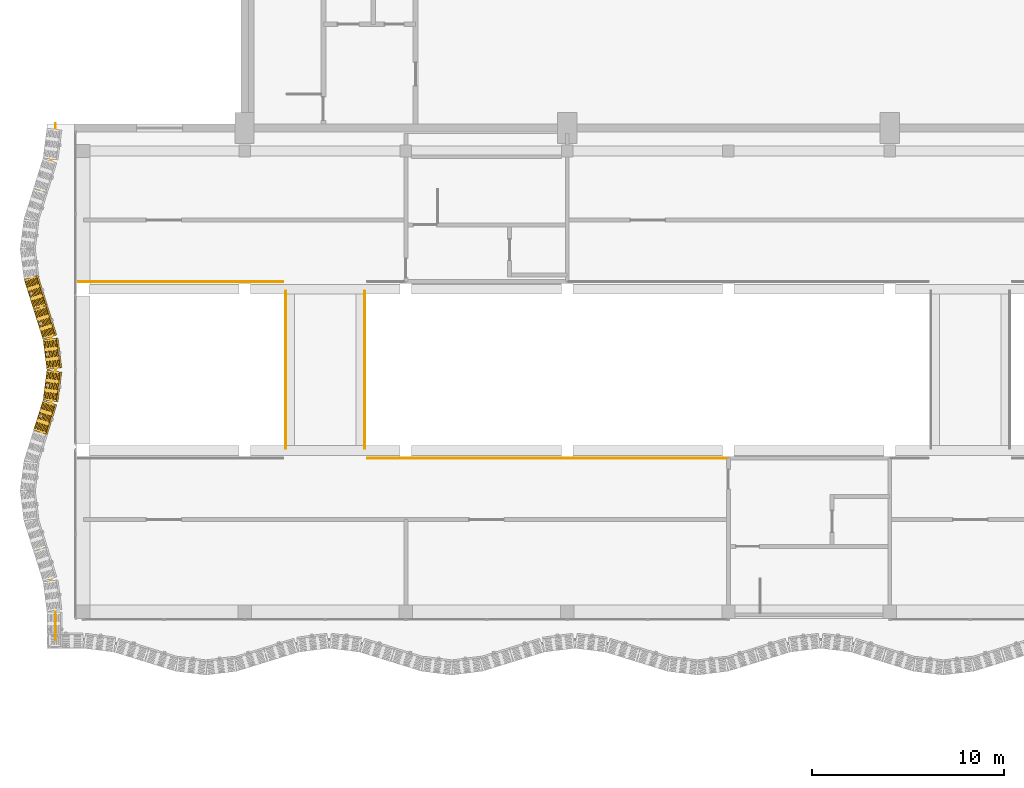
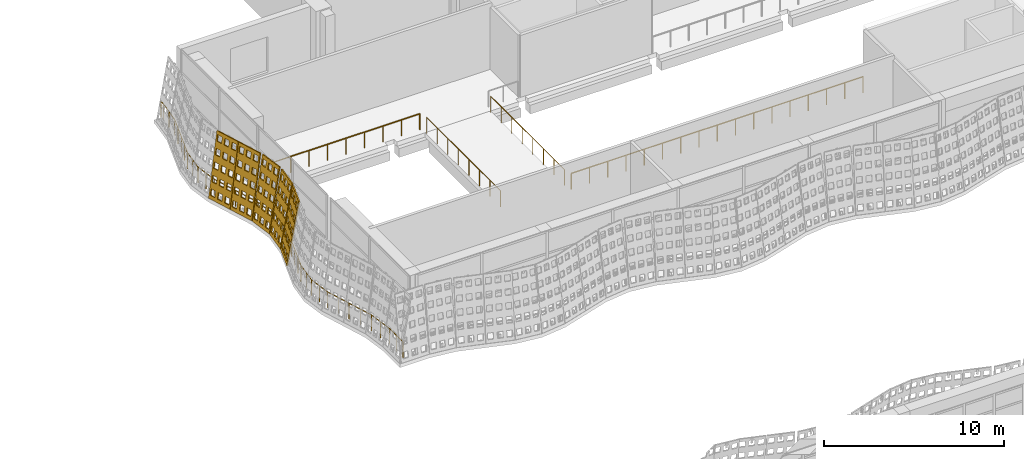
# One storey, part 132 of 162: 5 coverings, 5 railings.
"""IFC4 building model written with IfcOpenShell, lengths in metres."""

from ifc_helpers import new_model, si_unit, direction, frame, origin, origin_2d, place, context, subcontext, project, spatial, polyline, circle, outline, extrude, material, layer, layer_set, type_object, element, save


model = new_model("IFC4")

# Units and contexts
model_context = context("Model", 3, precision=1e-05, world=origin(), true_north=direction((0.0, 1.0)))
body_context = subcontext(model_context, "Body", "Model", "MODEL_VIEW")
ifc_project = project(units=[si_unit("LENGTHUNIT", "METRE"), si_unit("AREAUNIT", "SQUARE_METRE"), si_unit("VOLUMEUNIT", "CUBIC_METRE"), si_unit("PLANEANGLEUNIT", "RADIAN"), si_unit("MASSUNIT", "GRAM", prefix="KILO")], contexts=[model_context])

# Site, building, storey
site_placement = place(None, origin())
site = spatial("IfcSite", under=ifc_project, at=site_placement, CompositionType="ELEMENT")
building_placement = place(site_placement, origin())
building = spatial("IfcBuilding", under=site, at=building_placement, Name="Rain Tree Exposition and Congress Centre", CompositionType="ELEMENT")
storey_placement = place(building_placement, frame((0.0, 0.0, 6.0)))
storey = spatial("IfcBuildingStorey", under=building, at=storey_placement, Name="L01", CompositionType="ELEMENT", Elevation=6.0)

# Railings
ifc_material_1 = material(Name="Aluminium and glass balustrade", Category="aluminium")
railing_type_1 = type_object("IfcRailingType", Name="Concourse guard 1100", PredefinedType="GUARDRAIL", material=ifc_material_1)
railing_1_placement = place(storey_placement, frame((14.800048828125, 83.60009765625, 0.0)))
element("IfcRailing", 1, at=railing_1_placement, inside=storey, type_object=railing_type_1, Name="Concourse promenade guard 2", PredefinedType="GUARDRAIL", context=body_context, shape_type="SweptSolid", body=[
    extrude(circle(Radius=0.02392578125, at=origin_2d()), frame((0.0, 0.0, 1.076171875), z_axis=(1.0, 0.0, 0.0), x_axis=(0.0, 1.0, 0.0)), (0.0, 0.0, 1.0), 18.699951171875),
    extrude(circle(Radius=0.02099609375, at=origin_2d()), origin(), (0.0, 0.0, 1.0), 1.052001953125),
    extrude(circle(Radius=0.02099609375, at=origin_2d()), frame((1.168701171875, 0.0, 0.0)), (0.0, 0.0, 1.0), 1.052001953125),
    extrude(circle(Radius=0.02099609375, at=origin_2d()), frame((2.33740234375, 0.0, 0.0)), (0.0, 0.0, 1.0), 1.052001953125),
    extrude(circle(Radius=0.02099609375, at=origin_2d()), frame((3.50634765625, 0.0, 0.0)), (0.0, 0.0, 1.0), 1.052001953125),
    extrude(circle(Radius=0.02099609375, at=origin_2d()), frame((4.675048828125, 0.0, 0.0)), (0.0, 0.0, 1.0), 1.052001953125),
    extrude(circle(Radius=0.02099609375, at=origin_2d()), frame((5.84375, 0.0, 0.0)), (0.0, 0.0, 1.0), 1.052001953125),
    extrude(circle(Radius=0.02099609375, at=origin_2d()), frame((7.012451171875, 0.0, 0.0)), (0.0, 0.0, 1.0), 1.052001953125),
    extrude(circle(Radius=0.02099609375, at=origin_2d()), frame((8.18115234375, 0.0, 0.0)), (0.0, 0.0, 1.0), 1.052001953125),
    extrude(circle(Radius=0.02099609375, at=origin_2d()), frame((9.35009765625, 0.0, 0.0)), (0.0, 0.0, 1.0), 1.052001953125),
    extrude(circle(Radius=0.02099609375, at=origin_2d()), frame((10.518798828125, 0.0, 0.0)), (0.0, 0.0, 1.0), 1.052001953125),
    extrude(circle(Radius=0.02099609375, at=origin_2d()), frame((11.6875, 0.0, 0.0)), (0.0, 0.0, 1.0), 1.052001953125),
    extrude(circle(Radius=0.02099609375, at=origin_2d()), frame((12.856201171875, 0.0, 0.0)), (0.0, 0.0, 1.0), 1.052001953125),
    extrude(circle(Radius=0.02099609375, at=origin_2d()), frame((14.02490234375, 0.0, 0.0)), (0.0, 0.0, 1.0), 1.052001953125),
    extrude(circle(Radius=0.02099609375, at=origin_2d()), frame((15.193603515625, 0.0, 0.0)), (0.0, 0.0, 1.0), 1.052001953125),
    extrude(circle(Radius=0.02099609375, at=origin_2d()), frame((16.362548828125, 0.0, 0.0)), (0.0, 0.0, 1.0), 1.052001953125),
    extrude(circle(Radius=0.02099609375, at=origin_2d()), frame((17.53125, 0.0, 0.0)), (0.0, 0.0, 1.0), 1.052001953125),
    extrude(circle(Radius=0.02099609375, at=origin_2d()), frame((18.699951171875, 0.0, 0.0)), (0.0, 0.0, 1.0), 1.052001953125),
])
railing_2_placement = place(storey_placement, frame((-0.25, 92.800048828125, 0.0)))
element("IfcRailing", 2, at=railing_2_placement, inside=storey, type_object=railing_type_1, Name="Concourse promenade guard 14", PredefinedType="GUARDRAIL", context=body_context, shape_type="SweptSolid", body=[
    extrude(circle(Radius=0.02392578125, at=origin_2d()), frame((0.0, 0.0, 1.076171875), z_axis=(1.0, 0.0, 0.0), x_axis=(0.0, 1.0, 0.0)), (0.0, 0.0, 1.0), 10.64990234375),
    extrude(circle(Radius=0.02099609375, at=origin_2d()), origin(), (0.0, 0.0, 1.0), 1.052001953125),
    extrude(circle(Radius=0.02099609375, at=origin_2d()), frame((1.183349609375, 0.0, 0.0)), (0.0, 0.0, 1.0), 1.052001953125),
    extrude(circle(Radius=0.02099609375, at=origin_2d()), frame((2.36669921875, 0.0, 0.0)), (0.0, 0.0, 1.0), 1.052001953125),
    extrude(circle(Radius=0.02099609375, at=origin_2d()), frame((3.550048828125, 0.0, 0.0)), (0.0, 0.0, 1.0), 1.052001953125),
    extrude(circle(Radius=0.02099609375, at=origin_2d()), frame((4.7333984375, 0.0, 0.0)), (0.0, 0.0, 1.0), 1.052001953125),
    extrude(circle(Radius=0.02099609375, at=origin_2d()), frame((5.91650390625, 0.0, 0.0)), (0.0, 0.0, 1.0), 1.052001953125),
    extrude(circle(Radius=0.02099609375, at=origin_2d()), frame((7.099853515625, 0.0, 0.0)), (0.0, 0.0, 1.0), 1.052001953125),
    extrude(circle(Radius=0.02099609375, at=origin_2d()), frame((8.283203125, 0.0, 0.0)), (0.0, 0.0, 1.0), 1.052001953125),
    extrude(circle(Radius=0.02099609375, at=origin_2d()), frame((9.466552734375, 0.0, 0.0)), (0.0, 0.0, 1.0), 1.052001953125),
    extrude(circle(Radius=0.02099609375, at=origin_2d()), frame((10.64990234375, 0.0, 0.0)), (0.0, 0.0, 1.0), 1.052001953125),
])
for number, where, name in (
    (3, (10.550048828125, 84.10009765625, 0.0), "Concourse bridge guard 1.1"),
    (4, (14.64990234375, 84.10009765625, 0.0), "Concourse bridge guard 1.2"),
):
    element("IfcRailing", number, at=place(storey_placement, frame(where)), inside=storey, type_object=railing_type_1, Name=name, PredefinedType="GUARDRAIL", context=body_context, shape_type="SweptSolid", body=[
        extrude(circle(Radius=0.02392578125, at=origin_2d()), frame((0.0, 0.0, 1.076171875), z_axis=(0.0, 1.0, 0.0), x_axis=(-1.0, 0.0, 0.0)), (0.0, 0.0, 1.0), 8.199951171875),
        extrude(circle(Radius=0.02099609375, at=origin_2d()), origin(), (0.0, 0.0, 1.0), 1.052001953125),
        extrude(circle(Radius=0.02099609375, at=origin_2d()), frame((0.0, 1.17138671875, 0.0)), (0.0, 0.0, 1.0), 1.052001953125),
        extrude(circle(Radius=0.02099609375, at=origin_2d()), frame((0.0, 2.3427734375, 0.0)), (0.0, 0.0, 1.0), 1.052001953125),
        extrude(circle(Radius=0.02099609375, at=origin_2d()), frame((0.0, 3.51416015625, 0.0)), (0.0, 0.0, 1.0), 1.052001953125),
        extrude(circle(Radius=0.02099609375, at=origin_2d()), frame((0.0, 4.685791015625, 0.0)), (0.0, 0.0, 1.0), 1.052001953125),
        extrude(circle(Radius=0.02099609375, at=origin_2d()), frame((0.0, 5.857177734375, 0.0)), (0.0, 0.0, 1.0), 1.052001953125),
        extrude(circle(Radius=0.02099609375, at=origin_2d()), frame((0.0, 7.028564453125, 0.0)), (0.0, 0.0, 1.0), 1.052001953125),
        extrude(circle(Radius=0.02099609375, at=origin_2d()), frame((0.0, 8.199951171875, 0.0)), (0.0, 0.0, 1.0), 1.052001953125),
    ])

# Coverings
ifc_material_2 = material(Name="Perforated terracotta", Category="masonry")
ifc_layer = layer(ifc_material_2, 0.080078125)
ifc_layer_set = layer_set([ifc_layer], Name="Perforated terracotta")
covering_type = type_object("IfcCoveringType", Name="Terracotta screen 80", PredefinedType="CLADDING", material=ifc_layer_set)
covering_1_placement = place(storey_placement, frame((-3.093505859375, 92.925537109375, 0.0126953125), z_axis=(0.942029390639, 0.295717964052, -0.158529217842), x_axis=(-0.29950542383, 0.954094597562, 0.0)))
element("IfcCovering", 5, at=covering_1_placement, inside=storey, type_object=covering_type, Name="concourse/screen/L01/197", PredefinedType="CLADDING", context=body_context, shape_type="SweptSolid", body=[
    extrude(outline(polyline([(-1.635986328125, 0.0), (-1.635986328125, 4.291259765625), (-0.02197265625, 4.291259765625), (-0.02197265625, 0.0), (-1.635986328125, 0.0)]), holes=[polyline([(-0.124267578125, 0.221435546875), (-0.124267578125, 0.63671875), (-0.457763671875, 0.63671875), (-0.457763671875, 0.221435546875), (-0.124267578125, 0.221435546875)]), polyline([(-0.124267578125, 1.07958984375), (-0.124267578125, 1.4951171875), (-0.457763671875, 1.4951171875), (-0.457763671875, 1.07958984375), (-0.124267578125, 1.07958984375)]), polyline([(-0.124267578125, 1.93798828125), (-0.124267578125, 2.353271484375), (-0.457763671875, 2.353271484375), (-0.457763671875, 1.93798828125), (-0.124267578125, 1.93798828125)]), polyline([(-0.124267578125, 2.796142578125), (-0.124267578125, 3.21142578125), (-0.457763671875, 3.21142578125), (-0.457763671875, 2.796142578125), (-0.124267578125, 2.796142578125)]), polyline([(-0.124267578125, 3.654541015625), (-0.124267578125, 4.06982421875), (-0.457763671875, 4.06982421875), (-0.457763671875, 3.654541015625), (-0.124267578125, 3.654541015625)]), polyline([(-0.662109375, 0.221435546875), (-0.662109375, 0.63671875), (-0.995849609375, 0.63671875), (-0.995849609375, 0.221435546875), (-0.662109375, 0.221435546875)]), polyline([(-0.662109375, 1.07958984375), (-0.662109375, 1.4951171875), (-0.995849609375, 1.4951171875), (-0.995849609375, 1.07958984375), (-0.662109375, 1.07958984375)]), polyline([(-0.662109375, 1.93798828125), (-0.662109375, 2.353271484375), (-0.995849609375, 2.353271484375), (-0.995849609375, 1.93798828125), (-0.662109375, 1.93798828125)]), polyline([(-0.662109375, 2.796142578125), (-0.662109375, 3.21142578125), (-0.995849609375, 3.21142578125), (-0.995849609375, 2.796142578125), (-0.662109375, 2.796142578125)]), polyline([(-0.662109375, 3.654541015625), (-0.662109375, 4.06982421875), (-0.995849609375, 4.06982421875), (-0.995849609375, 3.654541015625), (-0.662109375, 3.654541015625)]), polyline([(-1.2001953125, 0.221435546875), (-1.2001953125, 0.63671875), (-1.53369140625, 0.63671875), (-1.53369140625, 0.221435546875), (-1.2001953125, 0.221435546875)]), polyline([(-1.2001953125, 1.07958984375), (-1.2001953125, 1.4951171875), (-1.53369140625, 1.4951171875), (-1.53369140625, 1.07958984375), (-1.2001953125, 1.07958984375)]), polyline([(-1.2001953125, 1.93798828125), (-1.2001953125, 2.353271484375), (-1.53369140625, 2.353271484375), (-1.53369140625, 1.93798828125), (-1.2001953125, 1.93798828125)]), polyline([(-1.2001953125, 2.796142578125), (-1.2001953125, 3.21142578125), (-1.53369140625, 3.21142578125), (-1.53369140625, 2.796142578125), (-1.2001953125, 2.796142578125)]), polyline([(-1.2001953125, 3.654541015625), (-1.2001953125, 4.06982421875), (-1.53369140625, 4.06982421875), (-1.53369140625, 3.654541015625), (-1.2001953125, 3.654541015625)])]), origin(), (0.0, 0.0, 1.0), 0.080078125),
])
covering_2_placement = place(storey_placement, frame((-2.598388671875, 91.3505859375, 0.0126953125), z_axis=(0.942029390639, 0.295717964052, -0.158529217842), x_axis=(-0.29950542383, 0.954094597562, 0.0)))
element("IfcCovering", 6, at=covering_2_placement, inside=storey, type_object=covering_type, Name="concourse/screen/L01/198", PredefinedType="CLADDING", context=body_context, shape_type="SweptSolid", body=[
    extrude(outline(polyline([(-1.635986328125, 0.0), (-1.635986328125, 4.291259765625), (-0.014892578125, 4.291259765625), (-0.014892578125, 0.0), (-1.635986328125, 0.0)]), holes=[polyline([(-0.11767578125, 0.221435546875), (-0.11767578125, 0.63671875), (-0.45263671875, 0.63671875), (-0.45263671875, 0.221435546875), (-0.11767578125, 0.221435546875)]), polyline([(-0.11767578125, 1.07958984375), (-0.11767578125, 1.4951171875), (-0.45263671875, 1.4951171875), (-0.45263671875, 1.07958984375), (-0.11767578125, 1.07958984375)]), polyline([(-0.11767578125, 1.93798828125), (-0.11767578125, 2.353271484375), (-0.45263671875, 2.353271484375), (-0.45263671875, 1.93798828125), (-0.11767578125, 1.93798828125)]), polyline([(-0.11767578125, 2.796142578125), (-0.11767578125, 3.21142578125), (-0.45263671875, 3.21142578125), (-0.45263671875, 2.796142578125), (-0.11767578125, 2.796142578125)]), polyline([(-0.11767578125, 3.654541015625), (-0.11767578125, 4.06982421875), (-0.45263671875, 4.06982421875), (-0.45263671875, 3.654541015625), (-0.11767578125, 3.654541015625)]), polyline([(-0.657958984375, 0.221435546875), (-0.657958984375, 0.63671875), (-0.992919921875, 0.63671875), (-0.992919921875, 0.221435546875), (-0.657958984375, 0.221435546875)]), polyline([(-0.657958984375, 1.07958984375), (-0.657958984375, 1.4951171875), (-0.992919921875, 1.4951171875), (-0.992919921875, 1.07958984375), (-0.657958984375, 1.07958984375)]), polyline([(-0.657958984375, 1.93798828125), (-0.657958984375, 2.353271484375), (-0.992919921875, 2.353271484375), (-0.992919921875, 1.93798828125), (-0.657958984375, 1.93798828125)]), polyline([(-0.657958984375, 2.796142578125), (-0.657958984375, 3.21142578125), (-0.992919921875, 3.21142578125), (-0.992919921875, 2.796142578125), (-0.657958984375, 2.796142578125)]), polyline([(-0.657958984375, 3.654541015625), (-0.657958984375, 4.06982421875), (-0.992919921875, 4.06982421875), (-0.992919921875, 3.654541015625), (-0.657958984375, 3.654541015625)]), polyline([(-1.1982421875, 0.221435546875), (-1.1982421875, 0.63671875), (-1.533203125, 0.63671875), (-1.533203125, 0.221435546875), (-1.1982421875, 0.221435546875)]), polyline([(-1.1982421875, 1.07958984375), (-1.1982421875, 1.4951171875), (-1.533203125, 1.4951171875), (-1.533203125, 1.07958984375), (-1.1982421875, 1.07958984375)]), polyline([(-1.1982421875, 1.93798828125), (-1.1982421875, 2.353271484375), (-1.533203125, 2.353271484375), (-1.533203125, 1.93798828125), (-1.1982421875, 1.93798828125)]), polyline([(-1.1982421875, 2.796142578125), (-1.1982421875, 3.21142578125), (-1.533203125, 3.21142578125), (-1.533203125, 2.796142578125), (-1.1982421875, 2.796142578125)]), polyline([(-1.1982421875, 3.654541015625), (-1.1982421875, 4.06982421875), (-1.533203125, 4.06982421875), (-1.533203125, 3.654541015625), (-1.1982421875, 3.654541015625)])]), origin(), (0.0, 0.0, 1.0), 0.080078125),
])
covering_3_placement = place(storey_placement, frame((-2.10302734375, 89.775390625, 0.01318359375), z_axis=(0.978282259159, 0.125342414455, -0.165085131233), x_axis=(-0.127086122318, 0.991891686382, 0.0)))
element("IfcCovering", 7, at=covering_3_placement, inside=storey, type_object=covering_type, Name="concourse/screen/L01/199", PredefinedType="CLADDING", context=body_context, shape_type="SweptSolid", body=[
    extrude(outline(polyline([(-1.5732421875, 0.0), (-1.5732421875, 4.295166015625), (-0.014892578125, 4.295166015625), (-0.014892578125, 0.0), (-1.5732421875, 0.0)]), holes=[polyline([(-0.11376953125, 0.2216796875), (-0.11376953125, 0.63720703125), (-0.435791015625, 0.63720703125), (-0.435791015625, 0.2216796875), (-0.11376953125, 0.2216796875)]), polyline([(-0.11376953125, 1.080810546875), (-0.11376953125, 1.496337890625), (-0.435791015625, 1.496337890625), (-0.435791015625, 1.080810546875), (-0.11376953125, 1.080810546875)]), polyline([(-0.11376953125, 1.939697265625), (-0.11376953125, 2.35546875), (-0.435791015625, 2.35546875), (-0.435791015625, 1.939697265625), (-0.11376953125, 1.939697265625)]), polyline([(-0.11376953125, 2.798583984375), (-0.11376953125, 3.21435546875), (-0.435791015625, 3.21435546875), (-0.435791015625, 2.798583984375), (-0.11376953125, 2.798583984375)]), polyline([(-0.11376953125, 3.65771484375), (-0.11376953125, 4.073486328125), (-0.435791015625, 4.073486328125), (-0.435791015625, 3.65771484375), (-0.11376953125, 3.65771484375)]), polyline([(-0.633056640625, 0.2216796875), (-0.633056640625, 0.63720703125), (-0.955078125, 0.63720703125), (-0.955078125, 0.2216796875), (-0.633056640625, 0.2216796875)]), polyline([(-0.633056640625, 1.080810546875), (-0.633056640625, 1.496337890625), (-0.955078125, 1.496337890625), (-0.955078125, 1.080810546875), (-0.633056640625, 1.080810546875)]), polyline([(-0.633056640625, 1.939697265625), (-0.633056640625, 2.35546875), (-0.955078125, 2.35546875), (-0.955078125, 1.939697265625), (-0.633056640625, 1.939697265625)]), polyline([(-0.633056640625, 2.798583984375), (-0.633056640625, 3.21435546875), (-0.955078125, 3.21435546875), (-0.955078125, 2.798583984375), (-0.633056640625, 2.798583984375)]), polyline([(-0.633056640625, 3.65771484375), (-0.633056640625, 4.073486328125), (-0.955078125, 4.073486328125), (-0.955078125, 3.65771484375), (-0.633056640625, 3.65771484375)]), polyline([(-1.152587890625, 0.2216796875), (-1.152587890625, 0.63720703125), (-1.474609375, 0.63720703125), (-1.474609375, 0.2216796875), (-1.152587890625, 0.2216796875)]), polyline([(-1.152587890625, 1.080810546875), (-1.152587890625, 1.496337890625), (-1.474609375, 1.496337890625), (-1.474609375, 1.080810546875), (-1.152587890625, 1.080810546875)]), polyline([(-1.152587890625, 1.939697265625), (-1.152587890625, 2.35546875), (-1.474609375, 2.35546875), (-1.474609375, 1.939697265625), (-1.152587890625, 1.939697265625)]), polyline([(-1.152587890625, 2.798583984375), (-1.152587890625, 3.21435546875), (-1.474609375, 3.21435546875), (-1.474609375, 2.798583984375), (-1.152587890625, 2.798583984375)]), polyline([(-1.152587890625, 3.65771484375), (-1.152587890625, 4.073486328125), (-1.474609375, 4.073486328125), (-1.474609375, 3.65771484375), (-1.152587890625, 3.65771484375)])]), origin(), (0.0, 0.0, 1.0), 0.079833984375),
])
covering_4_placement = place(storey_placement, frame((-1.898193359375, 88.19970703125, 0.01318359375), z_axis=(0.978036007662, -0.127967328105, -0.16452942185), x_axis=(0.129735338481, 0.991548658387, 0.0)))
element("IfcCovering", 8, at=covering_4_placement, inside=storey, type_object=covering_type, Name="concourse/screen/L01/200", PredefinedType="CLADDING", context=body_context, shape_type="SweptSolid", body=[
    extrude(outline(polyline([(-1.5732421875, 0.0), (-1.5732421875, 4.295166015625), (-0.014892578125, 4.295166015625), (-0.014892578125, 0.0), (-1.5732421875, 0.0)]), holes=[polyline([(-0.11376953125, 0.2216796875), (-0.11376953125, 0.63720703125), (-0.435791015625, 0.63720703125), (-0.435791015625, 0.2216796875), (-0.11376953125, 0.2216796875)]), polyline([(-0.11376953125, 1.080810546875), (-0.11376953125, 1.496337890625), (-0.435791015625, 1.496337890625), (-0.435791015625, 1.080810546875), (-0.11376953125, 1.080810546875)]), polyline([(-0.11376953125, 1.939697265625), (-0.11376953125, 2.35546875), (-0.435791015625, 2.35546875), (-0.435791015625, 1.939697265625), (-0.11376953125, 1.939697265625)]), polyline([(-0.11376953125, 2.798583984375), (-0.11376953125, 3.21435546875), (-0.435791015625, 3.21435546875), (-0.435791015625, 2.798583984375), (-0.11376953125, 2.798583984375)]), polyline([(-0.11376953125, 3.65771484375), (-0.11376953125, 4.073486328125), (-0.435791015625, 4.073486328125), (-0.435791015625, 3.65771484375), (-0.11376953125, 3.65771484375)]), polyline([(-0.633056640625, 0.2216796875), (-0.633056640625, 0.63720703125), (-0.955078125, 0.63720703125), (-0.955078125, 0.2216796875), (-0.633056640625, 0.2216796875)]), polyline([(-0.633056640625, 1.080810546875), (-0.633056640625, 1.496337890625), (-0.955078125, 1.496337890625), (-0.955078125, 1.080810546875), (-0.633056640625, 1.080810546875)]), polyline([(-0.633056640625, 1.939697265625), (-0.633056640625, 2.35546875), (-0.955078125, 2.35546875), (-0.955078125, 1.939697265625), (-0.633056640625, 1.939697265625)]), polyline([(-0.633056640625, 2.798583984375), (-0.633056640625, 3.21435546875), (-0.955078125, 3.21435546875), (-0.955078125, 2.798583984375), (-0.633056640625, 2.798583984375)]), polyline([(-0.633056640625, 3.65771484375), (-0.633056640625, 4.073486328125), (-0.955078125, 4.073486328125), (-0.955078125, 3.65771484375), (-0.633056640625, 3.65771484375)]), polyline([(-1.152587890625, 0.2216796875), (-1.152587890625, 0.63720703125), (-1.474609375, 0.63720703125), (-1.474609375, 0.2216796875), (-1.152587890625, 0.2216796875)]), polyline([(-1.152587890625, 1.080810546875), (-1.152587890625, 1.496337890625), (-1.474609375, 1.496337890625), (-1.474609375, 1.080810546875), (-1.152587890625, 1.080810546875)]), polyline([(-1.152587890625, 1.939697265625), (-1.152587890625, 2.35546875), (-1.474609375, 2.35546875), (-1.474609375, 1.939697265625), (-1.152587890625, 1.939697265625)]), polyline([(-1.152587890625, 2.798583984375), (-1.152587890625, 3.21435546875), (-1.474609375, 3.21435546875), (-1.474609375, 2.798583984375), (-1.152587890625, 2.798583984375)]), polyline([(-1.152587890625, 3.65771484375), (-1.152587890625, 4.073486328125), (-1.474609375, 4.073486328125), (-1.474609375, 3.65771484375), (-1.152587890625, 3.65771484375)])]), origin(), (0.0, 0.0, 1.0), 0.080078125),
])
covering_5_placement = place(storey_placement, frame((-2.103515625, 86.62451171875, 0.0126953125), z_axis=(0.941176896939, -0.298496232686, -0.158385756119), x_axis=(0.302312226207, 0.953208958144, 0.0)))
element("IfcCovering", 9, at=covering_5_placement, inside=storey, type_object=covering_type, Name="concourse/screen/L01/201", PredefinedType="CLADDING", context=body_context, shape_type="SweptSolid", body=[
    extrude(outline(polyline([(-1.635986328125, 0.0), (-1.635986328125, 4.291259765625), (-0.014892578125, 4.291259765625), (-0.014892578125, 0.0), (-1.635986328125, 0.0)]), holes=[polyline([(-0.11767578125, 0.221435546875), (-0.11767578125, 0.63671875), (-0.45263671875, 0.63671875), (-0.45263671875, 0.221435546875), (-0.11767578125, 0.221435546875)]), polyline([(-0.11767578125, 1.07958984375), (-0.11767578125, 1.4951171875), (-0.45263671875, 1.4951171875), (-0.45263671875, 1.07958984375), (-0.11767578125, 1.07958984375)]), polyline([(-0.11767578125, 1.93798828125), (-0.11767578125, 2.353271484375), (-0.45263671875, 2.353271484375), (-0.45263671875, 1.93798828125), (-0.11767578125, 1.93798828125)]), polyline([(-0.11767578125, 2.796142578125), (-0.11767578125, 3.21142578125), (-0.45263671875, 3.21142578125), (-0.45263671875, 2.796142578125), (-0.11767578125, 2.796142578125)]), polyline([(-0.11767578125, 3.654541015625), (-0.11767578125, 4.06982421875), (-0.45263671875, 4.06982421875), (-0.45263671875, 3.654541015625), (-0.11767578125, 3.654541015625)]), polyline([(-0.657958984375, 0.221435546875), (-0.657958984375, 0.63671875), (-0.992919921875, 0.63671875), (-0.992919921875, 0.221435546875), (-0.657958984375, 0.221435546875)]), polyline([(-0.657958984375, 1.07958984375), (-0.657958984375, 1.4951171875), (-0.992919921875, 1.4951171875), (-0.992919921875, 1.07958984375), (-0.657958984375, 1.07958984375)]), polyline([(-0.657958984375, 1.93798828125), (-0.657958984375, 2.353271484375), (-0.992919921875, 2.353271484375), (-0.992919921875, 1.93798828125), (-0.657958984375, 1.93798828125)]), polyline([(-0.657958984375, 2.796142578125), (-0.657958984375, 3.21142578125), (-0.992919921875, 3.21142578125), (-0.992919921875, 2.796142578125), (-0.657958984375, 2.796142578125)]), polyline([(-0.657958984375, 3.654541015625), (-0.657958984375, 4.06982421875), (-0.992919921875, 4.06982421875), (-0.992919921875, 3.654541015625), (-0.657958984375, 3.654541015625)]), polyline([(-1.1982421875, 0.221435546875), (-1.1982421875, 0.63671875), (-1.533203125, 0.63671875), (-1.533203125, 0.221435546875), (-1.1982421875, 0.221435546875)]), polyline([(-1.1982421875, 1.07958984375), (-1.1982421875, 1.4951171875), (-1.533203125, 1.4951171875), (-1.533203125, 1.07958984375), (-1.1982421875, 1.07958984375)]), polyline([(-1.1982421875, 1.93798828125), (-1.1982421875, 2.353271484375), (-1.533203125, 2.353271484375), (-1.533203125, 1.93798828125), (-1.1982421875, 1.93798828125)]), polyline([(-1.1982421875, 2.796142578125), (-1.1982421875, 3.21142578125), (-1.533203125, 3.21142578125), (-1.533203125, 2.796142578125), (-1.1982421875, 2.796142578125)]), polyline([(-1.1982421875, 3.654541015625), (-1.1982421875, 4.06982421875), (-1.533203125, 4.06982421875), (-1.533203125, 3.654541015625), (-1.1982421875, 3.654541015625)])]), origin(), (0.0, 0.0, 1.0), 0.080078125),
])

# Railing
ifc_material_3 = material(Name="Steel S355J2H", Category="steel")
railing_type_2 = type_object("IfcRailingType", Name="Wave ledge guard 1100", PredefinedType="GUARDRAIL", material=ifc_material_3)
railing_3_placement = place(storey_placement, frame((-1.4501953125, 74.149658203125, 0.0)))
element("IfcRailing", 10, at=railing_3_placement, inside=storey, type_object=railing_type_2, Name="concourse/guard/ring/L01/03", PredefinedType="GUARDRAIL", context=body_context, shape_type="SweptSolid", body=[
    extrude(circle(Radius=0.02392578125, at=origin_2d()), frame((0.0, 0.0, 1.076171875), z_axis=(0.0, 1.0, 0.0), x_axis=(-1.0, 0.0, 0.0)), (0.0, 0.0, 1.0), 1.4794921875),
    extrude(circle(Radius=0.02392578125, at=origin_2d()), frame((0.0, 1.4794921875, 1.076171875), z_axis=(-0.129219501459, 0.991616014616, 0.0), x_axis=(-0.991616014616, -0.129219501459, 0.0)), (0.0, 0.0, 1.0), 1.656982421875),
    extrude(circle(Radius=0.02392578125, at=origin_2d()), frame((-0.214111328125, 3.12255859375, 1.076171875), z_axis=(-0.299672622942, 0.954042095014, 0.0), x_axis=(-0.954042095014, -0.299672622942, 0.0)), (0.0, 0.0, 1.0), 1.6904296875),
    extrude(circle(Radius=0.02392578125, at=origin_2d()), frame((-0.720703125, 4.7353515625, 1.076171875), z_axis=(-0.299999944904, 0.953939218744, 0.0), x_axis=(-0.953939218744, -0.299999944904, 0.0)), (0.0, 0.0, 1.0), 1.611328125),
    extrude(circle(Radius=0.02392578125, at=origin_2d()), frame((-1.2041015625, 6.2724609375, 1.076171875), z_axis=(-0.128932951863, 0.991653313373, 0.0), x_axis=(-0.991653313373, -0.128932951863, 0.0)), (0.0, 0.0, 1.0), 1.490234375),
    extrude(circle(Radius=0.02392578125, at=origin_2d()), frame((-1.396240234375, 7.750244140625, 1.076171875), z_axis=(0.128932951863, 0.991653313373, 0.0), x_axis=(-0.991653313373, 0.128932951863, 0.0)), (0.0, 0.0, 1.0), 1.490234375),
    extrude(circle(Radius=0.02392578125, at=origin_2d()), frame((-1.2041015625, 9.22802734375, 1.076171875), z_axis=(0.299956590002, 0.953952852144, 0.0), x_axis=(-0.953952852144, 0.299956590002, 0.0)), (0.0, 0.0, 1.0), 1.611572265625),
    extrude(circle(Radius=0.02392578125, at=origin_2d()), frame((-0.720703125, 10.765380859375, 1.076171875), z_axis=(0.299672622942, 0.954042095014, 0.0), x_axis=(-0.954042095014, 0.299672622942, 0.0)), (0.0, 0.0, 1.0), 1.6904296875),
    extrude(circle(Radius=0.02392578125, at=origin_2d()), frame((-0.214111328125, 12.378173828125, 1.076171875), z_axis=(0.129147302517, 0.991625420334, 0.0), x_axis=(-0.991625420334, 0.129147302517, 0.0)), (0.0, 0.0, 1.0), 1.686279296875),
    extrude(circle(Radius=0.02392578125, at=origin_2d()), frame((0.003662109375, 14.05029296875, 1.076171875), z_axis=(-0.129128763288, 0.99162783467, 0.0), x_axis=(-0.99162783467, -0.129128763288, 0.0)), (0.0, 0.0, 1.0), 1.6865234375),
    extrude(circle(Radius=0.02392578125, at=origin_2d()), frame((-0.214111328125, 15.72265625, 1.076171875), z_axis=(-0.299713918227, 0.954029122837, 0.0), x_axis=(-0.954029122837, -0.299713918227, 0.0)), (0.0, 0.0, 1.0), 1.690185546875),
    extrude(circle(Radius=0.02392578125, at=origin_2d()), frame((-0.720703125, 17.335205078125, 1.076171875), z_axis=(-0.299956590002, 0.953952852144, 0.0), x_axis=(-0.953952852144, -0.299956590002, 0.0)), (0.0, 0.0, 1.0), 1.611572265625),
    extrude(circle(Radius=0.02392578125, at=origin_2d()), frame((-1.2041015625, 18.87255859375, 1.076171875), z_axis=(-0.128932951863, 0.991653313373, 0.0), x_axis=(-0.991653313373, -0.128932951863, 0.0)), (0.0, 0.0, 1.0), 1.490234375),
    extrude(circle(Radius=0.02392578125, at=origin_2d()), frame((-1.396240234375, 20.350341796875, 1.076171875), z_axis=(0.128932951863, 0.991653313373, 0.0), x_axis=(-0.991653313373, 0.128932951863, 0.0)), (0.0, 0.0, 1.0), 1.490234375),
    extrude(circle(Radius=0.02392578125, at=origin_2d()), frame((-1.2041015625, 21.828125, 1.076171875), z_axis=(0.299956590002, 0.953952852144, 0.0), x_axis=(-0.953952852144, 0.299956590002, 0.0)), (0.0, 0.0, 1.0), 1.611572265625),
    extrude(circle(Radius=0.02392578125, at=origin_2d()), frame((-0.720703125, 23.365478515625, 1.076171875), z_axis=(0.299713918227, 0.954029122837, 0.0), x_axis=(-0.954029122837, 0.299713918227, 0.0)), (0.0, 0.0, 1.0), 1.690185546875),
    extrude(circle(Radius=0.02392578125, at=origin_2d()), frame((-0.214111328125, 24.97802734375, 1.076171875), z_axis=(0.129219501459, 0.991616014616, 0.0), x_axis=(-0.991616014616, 0.129219501459, 0.0)), (0.0, 0.0, 1.0), 1.656982421875),
    extrude(circle(Radius=0.02392578125, at=origin_2d()), frame((0.0, 26.62109375, 1.076171875), z_axis=(0.0, 1.0, 0.0), x_axis=(-1.0, 0.0, 0.0)), (0.0, 0.0, 1.0), 0.249267578125),
    extrude(circle(Radius=0.02099609375, at=origin_2d()), origin(), (0.0, 0.0, 1.0), 1.052001953125),
    extrude(circle(Radius=0.02099609375, at=origin_2d()), frame((0.0, 0.73974609375, 0.0)), (0.0, 0.0, 1.0), 1.052001953125),
    extrude(circle(Radius=0.02099609375, at=origin_2d()), frame((0.0, 1.4794921875, 0.0)), (0.0, 0.0, 1.0), 1.052001953125),
    extrude(circle(Radius=0.02099609375, at=origin_2d()), frame((-0.10693359375, 2.301025390625, 0.0)), (0.0, 0.0, 1.0), 1.052001953125),
    extrude(circle(Radius=0.02099609375, at=origin_2d()), frame((-0.214111328125, 3.12255859375, 0.0)), (0.0, 0.0, 1.0), 1.052001953125),
    extrude(circle(Radius=0.02099609375, at=origin_2d()), frame((-0.46728515625, 3.928955078125, 0.0)), (0.0, 0.0, 1.0), 1.052001953125),
    extrude(circle(Radius=0.02099609375, at=origin_2d()), frame((-0.720703125, 4.7353515625, 0.0)), (0.0, 0.0, 1.0), 1.052001953125),
    extrude(circle(Radius=0.02099609375, at=origin_2d()), frame((-0.96240234375, 5.50390625, 0.0)), (0.0, 0.0, 1.0), 1.052001953125),
    extrude(circle(Radius=0.02099609375, at=origin_2d()), frame((-1.2041015625, 6.2724609375, 0.0)), (0.0, 0.0, 1.0), 1.052001953125),
    extrude(circle(Radius=0.02099609375, at=origin_2d()), frame((-1.30029296875, 7.01123046875, 0.0)), (0.0, 0.0, 1.0), 1.052001953125),
    extrude(circle(Radius=0.02099609375, at=origin_2d()), frame((-1.396240234375, 7.750244140625, 0.0)), (0.0, 0.0, 1.0), 1.052001953125),
    extrude(circle(Radius=0.02099609375, at=origin_2d()), frame((-1.30029296875, 8.4892578125, 0.0)), (0.0, 0.0, 1.0), 1.052001953125),
    extrude(circle(Radius=0.02099609375, at=origin_2d()), frame((-1.2041015625, 9.22802734375, 0.0)), (0.0, 0.0, 1.0), 1.052001953125),
    extrude(circle(Radius=0.02099609375, at=origin_2d()), frame((-0.96240234375, 9.99658203125, 0.0)), (0.0, 0.0, 1.0), 1.052001953125),
    extrude(circle(Radius=0.02099609375, at=origin_2d()), frame((-0.720703125, 10.765380859375, 0.0)), (0.0, 0.0, 1.0), 1.052001953125),
    extrude(circle(Radius=0.02099609375, at=origin_2d()), frame((-0.46728515625, 11.57177734375, 0.0)), (0.0, 0.0, 1.0), 1.052001953125),
    extrude(circle(Radius=0.02099609375, at=origin_2d()), frame((-0.214111328125, 12.378173828125, 0.0)), (0.0, 0.0, 1.0), 1.052001953125),
    extrude(circle(Radius=0.02099609375, at=origin_2d()), frame((-0.105224609375, 13.21435546875, 0.0)), (0.0, 0.0, 1.0), 1.052001953125),
    extrude(circle(Radius=0.02099609375, at=origin_2d()), frame((0.003662109375, 14.05029296875, 0.0)), (0.0, 0.0, 1.0), 1.052001953125),
    extrude(circle(Radius=0.02099609375, at=origin_2d()), frame((-0.105224609375, 14.886474609375, 0.0)), (0.0, 0.0, 1.0), 1.052001953125),
    extrude(circle(Radius=0.02099609375, at=origin_2d()), frame((-0.214111328125, 15.72265625, 0.0)), (0.0, 0.0, 1.0), 1.052001953125),
    extrude(circle(Radius=0.02099609375, at=origin_2d()), frame((-0.46728515625, 16.52880859375, 0.0)), (0.0, 0.0, 1.0), 1.052001953125),
    extrude(circle(Radius=0.02099609375, at=origin_2d()), frame((-0.720703125, 17.335205078125, 0.0)), (0.0, 0.0, 1.0), 1.052001953125),
    extrude(circle(Radius=0.02099609375, at=origin_2d()), frame((-0.96240234375, 18.10400390625, 0.0)), (0.0, 0.0, 1.0), 1.052001953125),
    extrude(circle(Radius=0.02099609375, at=origin_2d()), frame((-1.2041015625, 18.87255859375, 0.0)), (0.0, 0.0, 1.0), 1.052001953125),
    extrude(circle(Radius=0.02099609375, at=origin_2d()), frame((-1.30029296875, 19.611328125, 0.0)), (0.0, 0.0, 1.0), 1.052001953125),
    extrude(circle(Radius=0.02099609375, at=origin_2d()), frame((-1.396240234375, 20.350341796875, 0.0)), (0.0, 0.0, 1.0), 1.052001953125),
    extrude(circle(Radius=0.02099609375, at=origin_2d()), frame((-1.30029296875, 21.08935546875, 0.0)), (0.0, 0.0, 1.0), 1.052001953125),
    extrude(circle(Radius=0.02099609375, at=origin_2d()), frame((-1.2041015625, 21.828125, 0.0)), (0.0, 0.0, 1.0), 1.052001953125),
    extrude(circle(Radius=0.02099609375, at=origin_2d()), frame((-0.96240234375, 22.5966796875, 0.0)), (0.0, 0.0, 1.0), 1.052001953125),
    extrude(circle(Radius=0.02099609375, at=origin_2d()), frame((-0.720703125, 23.365478515625, 0.0)), (0.0, 0.0, 1.0), 1.052001953125),
    extrude(circle(Radius=0.02099609375, at=origin_2d()), frame((-0.46728515625, 24.171875, 0.0)), (0.0, 0.0, 1.0), 1.052001953125),
    extrude(circle(Radius=0.02099609375, at=origin_2d()), frame((-0.214111328125, 24.97802734375, 0.0)), (0.0, 0.0, 1.0), 1.052001953125),
    extrude(circle(Radius=0.02099609375, at=origin_2d()), frame((-0.10693359375, 25.799560546875, 0.0)), (0.0, 0.0, 1.0), 1.052001953125),
    extrude(circle(Radius=0.02099609375, at=origin_2d()), frame((0.0, 26.62109375, 0.0)), (0.0, 0.0, 1.0), 1.052001953125),
    extrude(circle(Radius=0.02099609375, at=origin_2d()), frame((0.0, 26.870361328125, 0.0)), (0.0, 0.0, 1.0), 1.052001953125),
])

save(model, "model.ifc")
